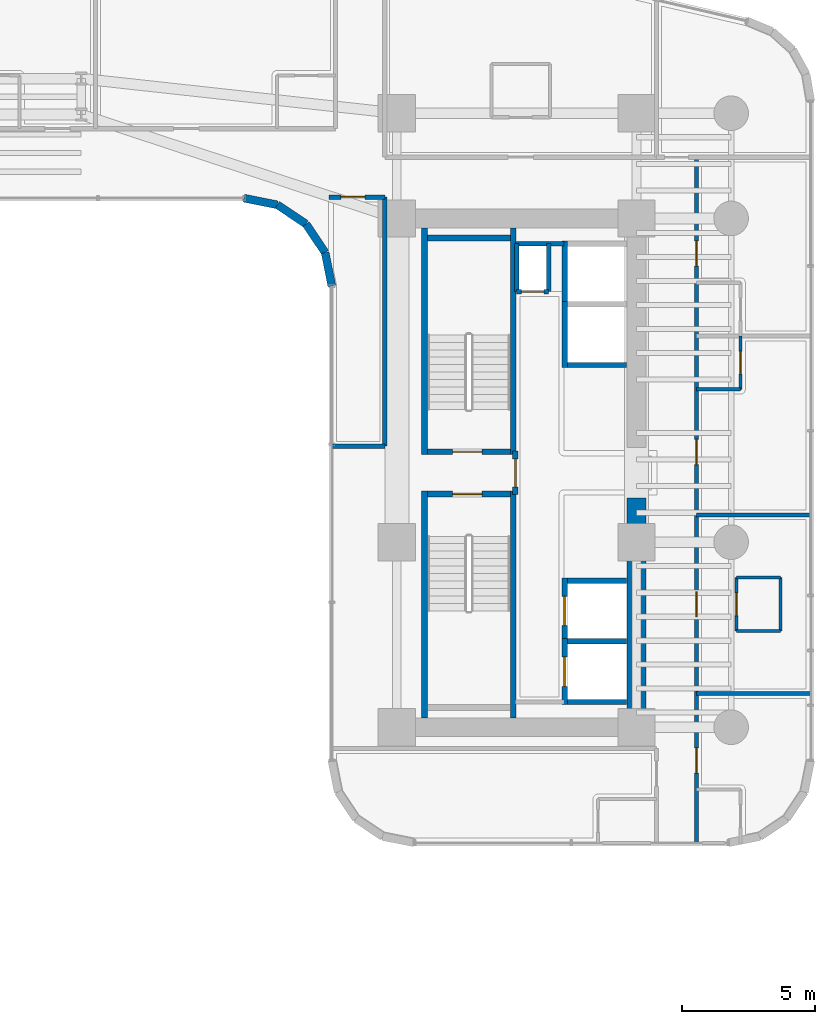
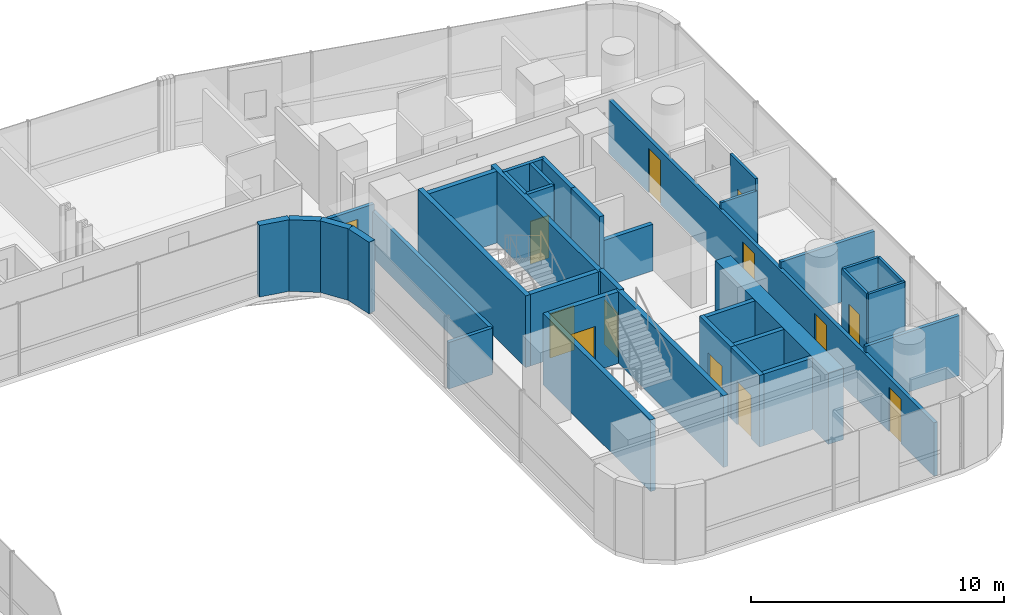
# One storey, part 33 of 42: 37 walls, 13 doors, 13 openings.
"""IFC4 building model written with IfcOpenShell, lengths in metres."""

from ifc_helpers import new_model, si_unit, direction, frame, frame_2d, origin, place, context, subcontext, project, spatial, rectangle, extrude, material, layer, layer_set, type_object, element, fill, save


model = new_model("IFC4")

# Units and contexts
model_context = context("Model", 3, precision=1e-05, world=origin(), true_north=direction((0.0, 1.0)))
body_context = subcontext(model_context, "Body", "Model", "MODEL_VIEW")
ifc_project = project(units=[si_unit("LENGTHUNIT", "METRE"), si_unit("AREAUNIT", "SQUARE_METRE"), si_unit("VOLUMEUNIT", "CUBIC_METRE"), si_unit("PLANEANGLEUNIT", "RADIAN"), si_unit("MASSUNIT", "GRAM", prefix="KILO")], contexts=[model_context])

# Site, building, storey
site_placement = place(None, origin())
site = spatial("IfcSite", under=ifc_project, at=site_placement, CompositionType="ELEMENT")
building_placement = place(site_placement, origin())
building = spatial("IfcBuilding", under=site, at=building_placement, Name="Valdorenza Pilgrim Sanctuary Tower", CompositionType="ELEMENT")
storey_placement = place(building_placement, frame((0.0, 0.0, 29.699951171875)))
storey = spatial("IfcBuildingStorey", under=building, at=storey_placement, Name="L06", CompositionType="ELEMENT", Elevation=29.699951171875)

# Wall, opening, door
ifc_material_1 = material(Name="Acoustic twin-stud gypsum partition", Category="gypsum")
ifc_layer_1 = layer(ifc_material_1, 0.159912109375, Name="Acoustic twin-stud gypsum partition")
ifc_layer_set_1 = layer_set([ifc_layer_1], Name="Acoustic twin-stud gypsum partition")
wall_type_1 = type_object("IfcWallType", Name="WAL-COR-160", PredefinedType="PARTITIONING", material=ifc_layer_set_1)
wall_1_placement = place(storey_placement, frame((20.35009765625, 6.800048828125, 0.0), z_axis=(0.0, 0.0, 1.0), x_axis=(1.0, 0.0, 0.0)))
wall_1 = element("IfcWall", 1, at=wall_1_placement, inside=storey, type_object=wall_type_1, Name="L06 Core B Riser South Wall", PredefinedType="PARTITIONING", context=body_context, shape_type="SweptSolid", body=[
    extrude(rectangle(XDim=1.199951171875, YDim=0.159912109375, at=frame_2d((0.60009765625, 0.0))), origin(), (0.0, 0.0, 1.0), 3.4599609375),
])
opening_1_placement = place(wall_1_placement, frame((0.175048828125, 0.0, 0.0)))
opening_1 = element("IfcOpeningElement", 2, at=opening_1_placement, cuts=wall_1, Name="Opening DR-RS1", PredefinedType="OPENING", context=body_context, shape_type="SweptSolid", body=[
    extrude(rectangle(XDim=0.85009765625, YDim=2.050048828125, at=frame_2d((0.425048828125, 1.02490234375))), frame((0.0, 0.0947265625, 0.0), z_axis=(0.0, -1.0, 0.0), x_axis=(1.0, 0.0, 0.0)), (0.0, 0.0, 1.0), 0.189697265625),
])
ifc_material_2 = material(Name="Painted galvanized steel", Category="steel")
door_type_1 = type_object("IfcDoorType", Name="DR-RSR-850", OperationType="NOTDEFINED", PredefinedType="DOOR", material=ifc_material_2)
door_1_placement = place(opening_1_placement, origin())
door_1 = element("IfcDoor", 3, at=door_1_placement, inside=storey, type_object=door_type_1, Name="L06 Core B Electrical Riser Door", OperationType="SINGLE_SWING_LEFT", OverallHeight=2.050048828125, OverallWidth=0.85009765625, PredefinedType="DOOR", context=body_context, shape_type="SweptSolid", body=[
    extrude(rectangle(XDim=0.85009765625, YDim=2.050048828125, at=frame_2d((0.425048828125, 1.02490234375))), frame((0.0, 0.02490234375, 0.0), z_axis=(0.0, -1.0, 0.0), x_axis=(1.0, 0.0, 0.0)), (0.0, 0.0, 1.0), 0.050048828125),
])
fill(opening_1, door_1)

# Walls
for number, where, z_axis, x_axis, name in (
    (4, (21.550048828125, 6.800048828125, 0.0), (0.0, 0.0, 1.0), (0.0, 1.0, 0.0), "L06 Core B Riser East Wall"),
    (5, (20.35009765625, 6.800048828125, 0.0), (0.0, 0.0, 1.0), (0.0, 1.0, 0.0), "L06 Core B Riser West Wall"),
):
    element("IfcWall", number, at=place(storey_placement, frame(where, z_axis=z_axis, x_axis=x_axis)), inside=storey, type_object=wall_type_1, Name=name, PredefinedType="PARTITIONING", context=body_context, shape_type="SweptSolid", body=[
        extrude(rectangle(XDim=1.800048828125, YDim=0.159912109375, at=frame_2d((0.89990234375, 0.0))), origin(), (0.0, 0.0, 1.0), 3.4599609375),
    ])
wall_2_placement = place(storey_placement, frame((20.300048828125, 8.60009765625, 0.0), z_axis=(0.0, 0.0, 1.0), x_axis=(1.0, 0.0, 0.0)))
element("IfcWall", 6, at=wall_2_placement, inside=storey, type_object=wall_type_1, Name="L06 Core B Lift Hall North End Wall", PredefinedType="PARTITIONING", context=body_context, shape_type="SweptSolid", body=[
    extrude(rectangle(XDim=1.820068359375, YDim=0.159912109375, at=frame_2d((0.91015625, 0.0))), origin(), (0.0, 0.0, 1.0), 3.4599609375),
])

# Wall, openings, doors
wall_3_placement = place(storey_placement, frame((27.10009765625, -13.889892578125, 0.0), z_axis=(0.0, 0.0, 1.0), x_axis=(0.0, 1.0, 0.0)))
wall_3 = element("IfcWall", 7, at=wall_3_placement, inside=storey, type_object=wall_type_1, Name="L06 Wing B East Corridor Wall", PredefinedType="PARTITIONING", context=body_context, shape_type="SweptSolid", body=[
    extrude(rectangle(XDim=25.739990234375, YDim=0.159912109375, at=frame_2d((12.8701171875, 0.0))), origin(), (0.0, 0.0, 1.0), 2.5830078125),
])
opening_2_placement = place(wall_3_placement, frame((2.6201171875, 0.0, 0.0)))
opening_2 = element("IfcOpeningElement", 8, at=opening_2_placement, cuts=wall_3, Name="Opening DR-UN1", PredefinedType="OPENING", context=body_context, shape_type="SweptSolid", body=[
    extrude(rectangle(XDim=0.949951171875, YDim=2.14990234375, at=frame_2d((0.47509765625, 1.074951171875))), frame((0.0, 0.0947265625, 0.0), z_axis=(0.0, -1.0, 0.0), x_axis=(1.0, 0.0, 0.0)), (0.0, 0.0, 1.0), 0.189697265625),
])
opening_3_placement = place(wall_3_placement, frame((8.48388671875, 0.0, 0.0)))
opening_3 = element("IfcOpeningElement", 9, at=opening_3_placement, cuts=wall_3, Name="Opening DR-UN1", PredefinedType="OPENING", context=body_context, shape_type="SweptSolid", body=[
    extrude(rectangle(XDim=0.949951171875, YDim=2.14990234375, at=frame_2d((0.47509765625, 1.074951171875))), frame((0.0, 0.0947265625, 0.0), z_axis=(0.0, -1.0, 0.0), x_axis=(1.0, 0.0, 0.0)), (0.0, 0.0, 1.0), 0.189697265625),
])
opening_4_placement = place(wall_3_placement, frame((14.197021484375, 0.0, 0.0)))
opening_4 = element("IfcOpeningElement", 10, at=opening_4_placement, cuts=wall_3, Name="Opening DR-UN1", PredefinedType="OPENING", context=body_context, shape_type="SweptSolid", body=[
    extrude(rectangle(XDim=0.949951171875, YDim=2.14990234375, at=frame_2d((0.47509765625, 1.074951171875))), frame((0.0, 0.0947265625, 0.0), z_axis=(0.0, -1.0, 0.0), x_axis=(1.0, 0.0, 0.0)), (0.0, 0.0, 1.0), 0.189697265625),
])
opening_5_placement = place(wall_3_placement, frame((21.64794921875, 0.0, 0.0)))
opening_5 = element("IfcOpeningElement", 11, at=opening_5_placement, cuts=wall_3, Name="Opening DR-UN1", PredefinedType="OPENING", context=body_context, shape_type="SweptSolid", body=[
    extrude(rectangle(XDim=0.949951171875, YDim=2.14990234375, at=frame_2d((0.47509765625, 1.074951171875))), frame((0.0, 0.0947265625, 0.0), z_axis=(0.0, -1.0, 0.0), x_axis=(1.0, 0.0, 0.0)), (0.0, 0.0, 1.0), 0.189697265625),
])
ifc_material_3 = material(Name="Solid-core European oak timber", Category="wood")
door_type_2 = type_object("IfcDoorType", Name="DR-UNIT-950", OperationType="NOTDEFINED", PredefinedType="DOOR", material=ifc_material_3)
door_2_placement = place(opening_2_placement, origin())
door_2 = element("IfcDoor", 12, at=door_2_placement, inside=storey, type_object=door_type_2, Name="L06 East Sanctuary Guest Room L06-EG1 Entrance Door", OperationType="SINGLE_SWING_RIGHT", OverallHeight=2.14990234375, OverallWidth=0.949951171875, PredefinedType="DOOR", context=body_context, shape_type="SweptSolid", body=[
    extrude(rectangle(XDim=0.949951171875, YDim=2.14990234375, at=frame_2d((0.47509765625, 1.074951171875))), frame((0.0, 0.02490234375, 0.0), z_axis=(0.0, -1.0, 0.0), x_axis=(1.0, 0.0, 0.0)), (0.0, 0.0, 1.0), 0.050048828125),
])
fill(opening_2, door_2)
door_3_placement = place(opening_3_placement, origin())
door_3 = element("IfcDoor", 13, at=door_3_placement, inside=storey, type_object=door_type_2, Name="L06 East Sanctuary Guest Room L06-EG2 Entrance Door", OperationType="SINGLE_SWING_RIGHT", OverallHeight=2.14990234375, OverallWidth=0.949951171875, PredefinedType="DOOR", context=body_context, shape_type="SweptSolid", body=[
    extrude(rectangle(XDim=0.949951171875, YDim=2.14990234375, at=frame_2d((0.47509765625, 1.074951171875))), frame((0.0, 0.02490234375, 0.0), z_axis=(0.0, -1.0, 0.0), x_axis=(1.0, 0.0, 0.0)), (0.0, 0.0, 1.0), 0.050048828125),
])
fill(opening_3, door_3)
door_4_placement = place(opening_4_placement, origin())
door_4 = element("IfcDoor", 14, at=door_4_placement, inside=storey, type_object=door_type_2, Name="L06 East Sanctuary Guest Room L06-EG3 Entrance Door", OperationType="SINGLE_SWING_RIGHT", OverallHeight=2.14990234375, OverallWidth=0.949951171875, PredefinedType="DOOR", context=body_context, shape_type="SweptSolid", body=[
    extrude(rectangle(XDim=0.949951171875, YDim=2.14990234375, at=frame_2d((0.47509765625, 1.074951171875))), frame((0.0, 0.02490234375, 0.0), z_axis=(0.0, -1.0, 0.0), x_axis=(1.0, 0.0, 0.0)), (0.0, 0.0, 1.0), 0.050048828125),
])
fill(opening_4, door_4)
door_5_placement = place(opening_5_placement, origin())
door_5 = element("IfcDoor", 15, at=door_5_placement, inside=storey, type_object=door_type_2, Name="L06 East Sanctuary Guest Room L06-EG4 Entrance Door", OperationType="SINGLE_SWING_RIGHT", OverallHeight=2.14990234375, OverallWidth=0.949951171875, PredefinedType="DOOR", context=body_context, shape_type="SweptSolid", body=[
    extrude(rectangle(XDim=0.949951171875, YDim=2.14990234375, at=frame_2d((0.47509765625, 1.074951171875))), frame((0.0, 0.02490234375, 0.0), z_axis=(0.0, -1.0, 0.0), x_axis=(1.0, 0.0, 0.0)), (0.0, 0.0, 1.0), 0.050048828125),
])
fill(opening_5, door_5)

# Wall, opening, door
wall_4_placement = place(storey_placement, frame((13.300048828125, 10.35009765625, 0.0), z_axis=(0.0, 0.0, 1.0), x_axis=(1.0, 0.0, 0.0)))
wall_4 = element("IfcWall", 16, at=wall_4_placement, inside=storey, type_object=wall_type_1, Name="L06 Courtyard Overlook North Wall", PredefinedType="PARTITIONING", context=body_context, shape_type="SweptSolid", body=[
    extrude(rectangle(XDim=2.099853515625, YDim=0.159912109375, at=frame_2d((1.0498046875, 0.0))), origin(), (0.0, 0.0, 1.0), 2.5830078125),
])
opening_6_placement = place(wall_4_placement, frame((0.449951171875, 0.0, 0.0)))
opening_6 = element("IfcOpeningElement", 17, at=opening_6_placement, cuts=wall_4, Name="Opening DR-RM1", PredefinedType="OPENING", context=body_context, shape_type="SweptSolid", body=[
    extrude(rectangle(XDim=0.89990234375, YDim=2.10009765625, at=frame_2d((0.449951171875, 1.050048828125))), frame((0.0, 0.0947265625, 0.0), z_axis=(0.0, -1.0, 0.0), x_axis=(1.0, 0.0, 0.0)), (0.0, 0.0, 1.0), 0.189697265625),
])
door_type_3 = type_object("IfcDoorType", Name="DR-ROOM-900", OperationType="NOTDEFINED", PredefinedType="DOOR", material=ifc_material_3)
door_6_placement = place(opening_6_placement, origin())
door_6 = element("IfcDoor", 18, at=door_6_placement, inside=storey, type_object=door_type_3, Name="L06 Courtyard Overlook Salon Door", OperationType="SINGLE_SWING_RIGHT", OverallHeight=2.10009765625, OverallWidth=0.89990234375, PredefinedType="DOOR", context=body_context, shape_type="SweptSolid", body=[
    extrude(rectangle(XDim=0.89990234375, YDim=2.10009765625, at=frame_2d((0.449951171875, 1.050048828125))), frame((0.0, 0.02490234375, 0.0), z_axis=(0.0, -1.0, 0.0), x_axis=(1.0, 0.0, 0.0)), (0.0, 0.0, 1.0), 0.050048828125),
])
fill(opening_6, door_6)

# Walls
wall_5_placement = place(storey_placement, frame((15.39990234375, 1.0, 0.0), z_axis=(0.0, 0.0, 1.0), x_axis=(0.0, 1.0, 0.0)))
element("IfcWall", 19, at=wall_5_placement, inside=storey, type_object=wall_type_1, Name="L06 Courtyard Overlook East Wall", PredefinedType="PARTITIONING", context=body_context, shape_type="SweptSolid", body=[
    extrude(rectangle(XDim=9.35009765625, YDim=0.159912109375, at=frame_2d((4.675048828125, 0.0))), origin(), (0.0, 0.0, 1.0), 2.2451171875),
])
wall_6_placement = place(storey_placement, frame((13.409912109375, 1.0, 0.0), z_axis=(0.0, 0.0, 1.0), x_axis=(1.0, 0.0, 0.0)))
element("IfcWall", 20, at=wall_6_placement, inside=storey, type_object=wall_type_1, Name="L06 Courtyard Overlook South Wall", PredefinedType="PARTITIONING", context=body_context, shape_type="SweptSolid", body=[
    extrude(rectangle(XDim=1.989990234375, YDim=0.159912109375, at=frame_2d((0.9951171875, 0.0))), origin(), (0.0, 0.0, 1.0), 2.2451171875),
])
ifc_material_4 = material(Name="Concrete C60/75", Category="concrete")
ifc_layer_2 = layer(ifc_material_4, 0.699951171875, Name="Concrete C60/75")
ifc_layer_set_2 = layer_set([ifc_layer_2], Name="Concrete C60/75")
wall_type_2 = type_object("IfcWallType", Name="WAL-COR-700", PredefinedType="SHEAR", material=ifc_layer_set_2)
wall_7_placement = place(storey_placement, frame((24.85009765625, -9.89990234375, 0.0), z_axis=(0.0, 0.0, 1.0), x_axis=(0.0, 1.0, 0.0)))
element("IfcWall", 21, at=wall_7_placement, inside=storey, type_object=wall_type_2, Name="L06 Split Core B Shear Wall ES", PredefinedType="SHEAR", context=body_context, shape_type="SweptSolid", body=[
    extrude(rectangle(XDim=8.949951171875, YDim=0.699951171875, at=frame_2d((4.47509765625, 0.0))), origin(), (0.0, 0.0, 1.0), 3.4599609375),
])
ifc_material_5 = material(Name="Honed travertine limestone", Category="masonry")
ifc_layer_3 = layer(ifc_material_5, 0.300048828125, Name="Honed travertine limestone")
ifc_layer_set_3 = layer_set([ifc_layer_3], Name="Honed travertine limestone")
wall_type_3 = type_object("IfcWallType", Name="WAL-EXT-300", PredefinedType="SOLIDWALL", material=ifc_layer_set_3)
wall_8_placement = place(storey_placement, frame((13.409912109375, 7.0107421875, 0.0), z_axis=(0.0, 0.0, 1.0), x_axis=(-0.195090163074, 0.980785312019, 0.0)))
element("IfcWall", 22, at=wall_8_placement, inside=storey, type_object=wall_type_3, Name="L06 Rounded Wind-Corner Stone Pier 32", PredefinedType="SOLIDWALL", context=body_context, shape_type="SweptSolid", body=[
    extrude(rectangle(XDim=1.281494140625, YDim=0.300048828125, at=frame_2d((0.640625, 0.0))), origin(), (0.0, 0.0, 1.0), 3.4599609375),
])
for number, where, z_axis, x_axis, name in (
    (23, (13.159912109375, 8.267578125, 0.0), (0.0, 0.0, 1.0), (-0.555615398575, 0.831439431869, 0.0), "L06 Rounded Wind-Corner Stone Pier 33"),
    (24, (12.44189453125, 9.342041015625, 0.0), (0.0, 0.0, 1.0), (-0.831439431869, 0.555615398575, 0.0), "L06 Rounded Wind-Corner Stone Pier 34"),
):
    element("IfcWall", number, at=place(storey_placement, frame(where, z_axis=z_axis, x_axis=x_axis)), inside=storey, type_object=wall_type_3, Name=name, PredefinedType="SOLIDWALL", context=body_context, shape_type="SweptSolid", body=[
        extrude(rectangle(XDim=1.292236328125, YDim=0.300048828125, at=frame_2d((0.64599609375, 0.0))), origin(), (0.0, 0.0, 1.0), 3.4599609375),
    ])
wall_9_placement = place(storey_placement, frame((11.367431640625, 10.06005859375, 0.0), z_axis=(0.0, 0.0, 1.0), x_axis=(-0.980778058848, 0.195126623715, 0.0)))
element("IfcWall", 25, at=wall_9_placement, inside=storey, type_object=wall_type_3, Name="L06 Rounded Wind-Corner Stone Pier 35", PredefinedType="SOLIDWALL", context=body_context, shape_type="SweptSolid", body=[
    extrude(rectangle(XDim=1.28125, YDim=0.300048828125, at=frame_2d((0.640625, 0.0))), origin(), (0.0, 0.0, 1.0), 3.4599609375),
])

# Wall, opening, door
ifc_material_6 = material(Name="Gypsum shaftwall partition", Category="gypsum")
ifc_layer_4 = layer(ifc_material_6, 0.199951171875, Name="Gypsum shaftwall partition")
ifc_layer_set_4 = layer_set([ifc_layer_4], Name="Gypsum shaftwall partition")
wall_type_4 = type_object("IfcWallType", Name="WAL-FFL-200", PredefinedType="PARTITIONING", material=ifc_layer_set_4)
wall_10_placement = place(storey_placement, frame((20.300048828125, -0.820068359375, 0.0), z_axis=(0.0, 0.0, 1.0), x_axis=(0.0, 1.0, 0.0)))
wall_10 = element("IfcWall", 26, at=wall_10_placement, inside=storey, type_object=wall_type_4, Name="L06 Core B Firefighting Lobby East Wall", PredefinedType="PARTITIONING", context=body_context, shape_type="SweptSolid", body=[
    extrude(rectangle(XDim=1.64013671875, YDim=0.199951171875, at=frame_2d((0.820068359375, 0.0))), origin(), (0.0, 0.0, 1.0), 3.4599609375),
])
opening_7_placement = place(wall_10_placement, frame((0.294921875, 0.0, 0.0)))
opening_7 = element("IfcOpeningElement", 27, at=opening_7_placement, cuts=wall_10, Name="Opening DR-FL1", PredefinedType="OPENING", context=body_context, shape_type="SweptSolid", body=[
    extrude(rectangle(XDim=1.050048828125, YDim=2.14990234375, at=frame_2d((0.52490234375, 1.074951171875))), frame((0.0, 0.11474609375, 0.0), z_axis=(0.0, -1.0, 0.0), x_axis=(1.0, 0.0, 0.0)), (0.0, 0.0, 1.0), 0.229736328125),
])
door_type_4 = type_object("IfcDoorType", Name="DR-FFL-1050", OperationType="NOTDEFINED", PredefinedType="DOOR", material=ifc_material_2)
door_7_placement = place(opening_7_placement, origin())
door_7 = element("IfcDoor", 28, at=door_7_placement, inside=storey, type_object=door_type_4, Name="L06 Core B Firefighting Lobby Door", OperationType="SINGLE_SWING_RIGHT", OverallHeight=2.14990234375, OverallWidth=1.050048828125, PredefinedType="DOOR", context=body_context, shape_type="SweptSolid", body=[
    extrude(rectangle(XDim=1.050048828125, YDim=2.14990234375, at=frame_2d((0.52490234375, 1.074951171875))), frame((0.0, 0.02490234375, 0.0), z_axis=(0.0, -1.0, 0.0), x_axis=(1.0, 0.0, 0.0)), (0.0, 0.0, 1.0), 0.050048828125),
])
fill(opening_7, door_7)

# Walls
ifc_material_7 = material(Name="Moisture-resistant gypsum partition", Category="gypsum")
ifc_layer_5 = layer(ifc_material_7, 0.1201171875, Name="Moisture-resistant gypsum partition")
ifc_layer_set_5 = layer_set([ifc_layer_5], Name="Moisture-resistant gypsum partition")
wall_type_5 = type_object("IfcWallType", Name="WAL-INT-120", PredefinedType="PARTITIONING", material=ifc_layer_set_5)
for number, where, z_axis, x_axis, name in (
    (29, (28.60009765625, -5.930908203125, 0.0), (0.0, 0.0, 1.0), (1.0, 0.0, 0.0), "L06 East Sanctuary Guest Room L06-EG2 En-suite South Wall"),
    (30, (28.60009765625, -3.930908203125, 0.0), (0.0, 0.0, 1.0), (1.0, 0.0, 0.0), "L06 East Sanctuary Guest Room L06-EG2 En-suite North Wall"),
):
    element("IfcWall", number, at=place(storey_placement, frame(where, z_axis=z_axis, x_axis=x_axis)), inside=storey, type_object=wall_type_5, Name=name, PredefinedType="PARTITIONING", context=body_context, shape_type="SweptSolid", body=[
        extrude(rectangle(XDim=1.64990234375, YDim=0.1201171875, at=frame_2d((0.824951171875, 0.0))), origin(), (0.0, 0.0, 1.0), 3.4599609375),
    ])
wall_11_placement = place(storey_placement, frame((30.25, -5.930908203125, 0.0), z_axis=(0.0, 0.0, 1.0), x_axis=(0.0, 1.0, 0.0)))
element("IfcWall", 31, at=wall_11_placement, inside=storey, type_object=wall_type_5, Name="L06 East Sanctuary Guest Room L06-EG2 En-suite Back Wall", PredefinedType="PARTITIONING", context=body_context, shape_type="SweptSolid", body=[
    extrude(rectangle(XDim=2.0, YDim=0.1201171875, at=frame_2d((1.0, 0.0))), origin(), (0.0, 0.0, 1.0), 3.4599609375),
])

# Wall, opening, door
wall_12_placement = place(storey_placement, frame((28.60009765625, -5.930908203125, 0.0), z_axis=(0.0, 0.0, 1.0), x_axis=(0.0, 1.0, 0.0)))
wall_12 = element("IfcWall", 32, at=wall_12_placement, inside=storey, type_object=wall_type_5, Name="L06 East Sanctuary Guest Room L06-EG2 En-suite Door Wall", PredefinedType="PARTITIONING", context=body_context, shape_type="SweptSolid", body=[
    extrude(rectangle(XDim=2.0, YDim=0.1201171875, at=frame_2d((1.0, 0.0))), origin(), (0.0, 0.0, 1.0), 3.4599609375),
])
opening_8_placement = place(wall_12_placement, frame((0.574951171875, 0.0, 0.0)))
opening_8 = element("IfcOpeningElement", 33, at=opening_8_placement, cuts=wall_12, Name="Opening DR-WC1", PredefinedType="OPENING", context=body_context, shape_type="SweptSolid", body=[
    extrude(rectangle(XDim=0.85009765625, YDim=2.10009765625, at=frame_2d((0.425048828125, 1.050048828125))), frame((0.0, 0.074951171875, 0.0), z_axis=(0.0, -1.0, 0.0), x_axis=(1.0, 0.0, 0.0)), (0.0, 0.0, 1.0), 0.14990234375),
])
ifc_material_8 = material(Name="Moisture-resistant lacquered timber", Category="wood")
door_type_5 = type_object("IfcDoorType", Name="DR-BATH-850", OperationType="NOTDEFINED", PredefinedType="DOOR", material=ifc_material_8)
door_8_placement = place(opening_8_placement, origin())
door_8 = element("IfcDoor", 34, at=door_8_placement, inside=storey, type_object=door_type_5, Name="L06 East Sanctuary Guest Room L06-EG2 En-suite Bathroom Door", OperationType="SINGLE_SWING_LEFT", OverallHeight=2.10009765625, OverallWidth=0.85009765625, PredefinedType="DOOR", context=body_context, shape_type="SweptSolid", body=[
    extrude(rectangle(XDim=0.85009765625, YDim=2.10009765625, at=frame_2d((0.425048828125, 1.050048828125))), frame((0.0, 0.02490234375, 0.0), z_axis=(0.0, -1.0, 0.0), x_axis=(1.0, 0.0, 0.0)), (0.0, 0.0, 1.0), 0.050048828125),
])
fill(opening_8, door_8)

# Wall
wall_13_placement = place(storey_placement, frame((27.10009765625, 3.137939453125, 0.0), z_axis=(0.0, 0.0, 1.0), x_axis=(1.0, 0.0, 0.0)))
element("IfcWall", 35, at=wall_13_placement, inside=storey, type_object=wall_type_5, Name="L06 East Sanctuary Guest Room L06-EG3 En-suite South Wall", PredefinedType="PARTITIONING", context=body_context, shape_type="SweptSolid", body=[
    extrude(rectangle(XDim=1.64990234375, YDim=0.1201171875, at=frame_2d((0.824951171875, 0.0))), origin(), (0.0, 0.0, 1.0), 2.89599609375),
])

# Wall, opening, door
wall_14_placement = place(storey_placement, frame((28.75, 3.137939453125, 0.0), z_axis=(0.0, 0.0, 1.0), x_axis=(0.0, 1.0, 0.0)))
wall_14 = element("IfcWall", 36, at=wall_14_placement, inside=storey, type_object=wall_type_5, Name="L06 East Sanctuary Guest Room L06-EG3 En-suite Door Wall", PredefinedType="PARTITIONING", context=body_context, shape_type="SweptSolid", body=[
    extrude(rectangle(XDim=2.0, YDim=0.1201171875, at=frame_2d((1.0, 0.0))), origin(), (0.0, 0.0, 1.0), 3.4599609375),
])
opening_9_placement = place(wall_14_placement, frame((0.574951171875, 0.0, 0.0)))
opening_9 = element("IfcOpeningElement", 37, at=opening_9_placement, cuts=wall_14, Name="Opening DR-WC1", PredefinedType="OPENING", context=body_context, shape_type="SweptSolid", body=[
    extrude(rectangle(XDim=0.85009765625, YDim=2.10009765625, at=frame_2d((0.425048828125, 1.050048828125))), frame((0.0, 0.074951171875, 0.0), z_axis=(0.0, -1.0, 0.0), x_axis=(1.0, 0.0, 0.0)), (0.0, 0.0, 1.0), 0.14990234375),
])
door_9_placement = place(opening_9_placement, origin())
door_9 = element("IfcDoor", 38, at=door_9_placement, inside=storey, type_object=door_type_5, Name="L06 East Sanctuary Guest Room L06-EG3 En-suite Bathroom Door", OperationType="SINGLE_SWING_LEFT", OverallHeight=2.10009765625, OverallWidth=0.85009765625, PredefinedType="DOOR", context=body_context, shape_type="SweptSolid", body=[
    extrude(rectangle(XDim=0.85009765625, YDim=2.10009765625, at=frame_2d((0.425048828125, 1.050048828125))), frame((0.0, 0.02490234375, 0.0), z_axis=(0.0, -1.0, 0.0), x_axis=(1.0, 0.0, 0.0)), (0.0, 0.0, 1.0), 0.050048828125),
])
fill(opening_9, door_9)

ifc_material_9 = material(Name="Autoclaved aerated concrete blockwork", Category="masonry")
ifc_layer_6 = layer(ifc_material_9, 0.199951171875, Name="Autoclaved aerated concrete blockwork")
ifc_layer_set_6 = layer_set([ifc_layer_6], Name="Autoclaved aerated concrete blockwork")
wall_type_6 = type_object("IfcWallType", Name="WAL-SHF-200", PredefinedType="MOVABLE", material=ifc_layer_set_6)
wall_15_placement = place(storey_placement, frame((22.14990234375, -8.699951171875, 0.0), z_axis=(0.0, 0.0, 1.0), x_axis=(0.0, 1.0, 0.0)))
wall_15 = element("IfcWall", 39, at=wall_15_placement, inside=storey, type_object=wall_type_6, Name="L06 Lift PL-03 Hoistway Wall West", PredefinedType="MOVABLE", context=body_context, shape_type="SweptSolid", body=[
    extrude(rectangle(XDim=2.474853515625, YDim=0.199951171875, at=frame_2d((1.2373046875, 0.0))), origin(), (0.0, 0.0, 1.0), 3.4599609375),
])
opening_10_placement = place(wall_15_placement, frame((0.6875, 0.0, 0.0)))
opening_10 = element("IfcOpeningElement", 40, at=opening_10_placement, cuts=wall_15, Name="Opening LD-01", PredefinedType="OPENING", context=body_context, shape_type="SweptSolid", body=[
    extrude(rectangle(XDim=1.10009765625, YDim=2.10009765625, at=frame_2d((0.550048828125, 1.050048828125))), frame((0.0, 0.11474609375, 0.0), z_axis=(0.0, -1.0, 0.0), x_axis=(1.0, 0.0, 0.0)), (0.0, 0.0, 1.0), 0.229736328125),
])
ifc_material_10 = material(Name="Brushed stainless steel Grade 316", Category="steel")
door_type_6 = type_object("IfcDoorType", Name="DR-LFT-1100", OperationType="DOUBLE_DOOR_SLIDING", PredefinedType="DOOR", material=ifc_material_10)
door_10_placement = place(opening_10_placement, origin())
door_10 = element("IfcDoor", 41, at=door_10_placement, inside=storey, type_object=door_type_6, Name="L06 Lift PL-03 Sliding Landing Door", OperationType="DOUBLE_DOOR_SLIDING", OverallHeight=2.10009765625, OverallWidth=1.10009765625, PredefinedType="DOOR", context=body_context, shape_type="SweptSolid", body=[
    extrude(rectangle(XDim=1.10009765625, YDim=2.10009765625, at=frame_2d((0.550048828125, 1.050048828125))), frame((0.0, 0.02490234375, 0.0), z_axis=(0.0, -1.0, 0.0), x_axis=(1.0, 0.0, 0.0)), (0.0, 0.0, 1.0), 0.050048828125),
])
fill(opening_10, door_10)

# Walls
for number, where, z_axis, x_axis, name in (
    (42, (22.25, -8.60009765625, 0.0), (0.0, 0.0, 1.0), (1.0, 0.0, 0.0), "L06 Lift PL-03 Hoistway Wall South"),
    (43, (22.25, -6.324951171875, 0.0), (0.0, 0.0, 1.0), (1.0, 0.0, 0.0), "L06 Lift PL-03 Hoistway Wall North"),
):
    element("IfcWall", number, at=place(storey_placement, frame(where, z_axis=z_axis, x_axis=x_axis)), inside=storey, type_object=wall_type_6, Name=name, PredefinedType="MOVABLE", context=body_context, shape_type="SweptSolid", body=[
        extrude(rectangle(XDim=2.22998046875, YDim=0.199951171875, at=frame_2d((1.114990234375, 0.0))), origin(), (0.0, 0.0, 1.0), 3.4599609375),
    ])

# Wall, opening, door
wall_16_placement = place(storey_placement, frame((22.14990234375, -6.425048828125, 0.0), z_axis=(0.0, 0.0, 1.0), x_axis=(0.0, 1.0, 0.0)))
wall_16 = element("IfcWall", 44, at=wall_16_placement, inside=storey, type_object=wall_type_6, Name="L06 Lift PL-04 Hoistway Wall West", PredefinedType="MOVABLE", context=body_context, shape_type="SweptSolid", body=[
    extrude(rectangle(XDim=2.47509765625, YDim=0.199951171875, at=frame_2d((1.237548828125, 0.0))), origin(), (0.0, 0.0, 1.0), 3.4599609375),
])
opening_11_placement = place(wall_16_placement, frame((0.6875, 0.0, 0.0)))
opening_11 = element("IfcOpeningElement", 45, at=opening_11_placement, cuts=wall_16, Name="Opening LD-01", PredefinedType="OPENING", context=body_context, shape_type="SweptSolid", body=[
    extrude(rectangle(XDim=1.10009765625, YDim=2.10009765625, at=frame_2d((0.550048828125, 1.050048828125))), frame((0.0, 0.11474609375, 0.0), z_axis=(0.0, -1.0, 0.0), x_axis=(1.0, 0.0, 0.0)), (0.0, 0.0, 1.0), 0.229736328125),
])
door_11_placement = place(opening_11_placement, origin())
door_11 = element("IfcDoor", 46, at=door_11_placement, inside=storey, type_object=door_type_6, Name="L06 Lift PL-04 Sliding Landing Door", OperationType="DOUBLE_DOOR_SLIDING", OverallHeight=2.10009765625, OverallWidth=1.10009765625, PredefinedType="DOOR", context=body_context, shape_type="SweptSolid", body=[
    extrude(rectangle(XDim=1.10009765625, YDim=2.10009765625, at=frame_2d((0.550048828125, 1.050048828125))), frame((0.0, 0.02490234375, 0.0), z_axis=(0.0, -1.0, 0.0), x_axis=(1.0, 0.0, 0.0)), (0.0, 0.0, 1.0), 0.050048828125),
])
fill(opening_11, door_11)

# Walls
wall_17_placement = place(storey_placement, frame((22.25, -4.050048828125, 0.0), z_axis=(0.0, 0.0, 1.0), x_axis=(1.0, 0.0, 0.0)))
element("IfcWall", 47, at=wall_17_placement, inside=storey, type_object=wall_type_6, Name="L06 Lift PL-04 Hoistway Wall North", PredefinedType="MOVABLE", context=body_context, shape_type="SweptSolid", body=[
    extrude(rectangle(XDim=2.22998046875, YDim=0.199951171875, at=frame_2d((1.114990234375, 0.0))), origin(), (0.0, 0.0, 1.0), 3.4599609375),
])
wall_18_placement = place(storey_placement, frame((22.14990234375, 3.949951171875, 0.0), z_axis=(0.0, 0.0, 1.0), x_axis=(0.0, 1.0, 0.0)))
element("IfcWall", 48, at=wall_18_placement, inside=storey, type_object=wall_type_6, Name="L06 Lift PL-07 Hoistway Wall West", PredefinedType="MOVABLE", context=body_context, shape_type="SweptSolid", body=[
    extrude(rectangle(XDim=2.47509765625, YDim=0.199951171875, at=frame_2d((1.237548828125, 0.0))), origin(), (0.0, 0.0, 1.0), 3.4599609375),
])
wall_19_placement = place(storey_placement, frame((22.25, 4.050048828125, 0.0), z_axis=(0.0, 0.0, 1.0), x_axis=(1.0, 0.0, 0.0)))
element("IfcWall", 49, at=wall_19_placement, inside=storey, type_object=wall_type_6, Name="L06 Lift PL-07 Hoistway Wall South", PredefinedType="MOVABLE", context=body_context, shape_type="SweptSolid", body=[
    extrude(rectangle(XDim=2.22998046875, YDim=0.199951171875, at=frame_2d((1.114990234375, 0.0))), origin(), (0.0, 0.0, 1.0), 2.2451171875),
])
wall_20_placement = place(storey_placement, frame((22.14990234375, 6.22509765625, 0.0), z_axis=(0.0, 0.0, 1.0), x_axis=(0.0, 1.0, 0.0)))
element("IfcWall", 50, at=wall_20_placement, inside=storey, type_object=wall_type_6, Name="L06 Lift PL-08 Hoistway Wall West", PredefinedType="MOVABLE", context=body_context, shape_type="SweptSolid", body=[
    extrude(rectangle(XDim=2.474853515625, YDim=0.199951171875, at=frame_2d((1.2373046875, 0.0))), origin(), (0.0, 0.0, 1.0), 3.4599609375),
])
ifc_material_11 = material(Name="Concrete C40/50", Category="concrete")
ifc_layer_7 = layer(ifc_material_11, 0.219970703125, Name="Concrete C40/50")
ifc_layer_set_7 = layer_set([ifc_layer_7], Name="Concrete C40/50")
wall_type_7 = type_object("IfcWallType", Name="WAL-STR-SHF-220", PredefinedType="SHEAR", material=ifc_layer_set_7)
for number, where, z_axis, x_axis, name in (
    (51, (16.889892578125, 0.679931640625, 0.0), (0.0, 0.0, 1.0), (0.0, 1.0, 0.0), "L06 ST-B1 Structural Stairwell Wall W"),
    (52, (20.219970703125, 0.679931640625, 0.0), (0.0, 0.0, 1.0), (0.0, 1.0, 0.0), "L06 ST-B1 Structural Stairwell Wall E"),
):
    element("IfcWall", number, at=place(storey_placement, frame(where, z_axis=z_axis, x_axis=x_axis)), inside=storey, type_object=wall_type_7, Name=name, PredefinedType="SHEAR", context=body_context, shape_type="SweptSolid", body=[
        extrude(rectangle(XDim=8.52001953125, YDim=0.219970703125, at=frame_2d((4.260009765625, 0.0))), origin(), (0.0, 0.0, 1.0), 3.4599609375),
    ])

# Wall, opening, door
wall_21_placement = place(storey_placement, frame((17.0, 0.7900390625, 0.0), z_axis=(0.0, 0.0, 1.0), x_axis=(1.0, 0.0, 0.0)))
wall_21 = element("IfcWall", 53, at=wall_21_placement, inside=storey, type_object=wall_type_7, Name="L06 ST-B1 Structural Stairwell Wall S", PredefinedType="SHEAR", context=body_context, shape_type="SweptSolid", body=[
    extrude(rectangle(XDim=3.110107421875, YDim=0.219970703125, at=frame_2d((1.55517578125, 0.0))), origin(), (0.0, 0.0, 1.0), 3.4599609375),
])
opening_12_placement = place(wall_21_placement, frame((0.949951171875, 0.0, 0.0)))
opening_12 = element("IfcOpeningElement", 54, at=opening_12_placement, cuts=wall_21, Name="Opening DR-ST1", PredefinedType="OPENING", context=body_context, shape_type="SweptSolid", body=[
    extrude(rectangle(XDim=1.10009765625, YDim=2.14990234375, at=frame_2d((0.550048828125, 1.074951171875))), frame((0.0, 0.125, 0.0), z_axis=(0.0, -1.0, 0.0), x_axis=(1.0, 0.0, 0.0)), (0.0, 0.0, 1.0), 0.249755859375),
])
door_type_7 = type_object("IfcDoorType", Name="DR-STAIR-1100", OperationType="NOTDEFINED", PredefinedType="DOOR", material=ifc_material_2)
door_12_placement = place(opening_12_placement, frame((1.10009765625, 0.0, 0.0), z_axis=(0.0, 0.0, 1.0), x_axis=(-1.0, 0.0, 0.0)))
door_12 = element("IfcDoor", 55, at=door_12_placement, inside=storey, type_object=door_type_7, Name="L06 Exit Stair ST-B1 Door", OperationType="SINGLE_SWING_LEFT", OverallHeight=2.14990234375, OverallWidth=1.10009765625, PredefinedType="DOOR", context=body_context, shape_type="SweptSolid", body=[
    extrude(rectangle(XDim=1.10009765625, YDim=2.14990234375, at=frame_2d((0.550048828125, 1.074951171875))), frame((0.0, 0.02490234375, 0.0), z_axis=(0.0, -1.0, 0.0), x_axis=(1.0, 0.0, 0.0)), (0.0, 0.0, 1.0), 0.050048828125),
])
fill(opening_12, door_12)

# Walls
wall_22_placement = place(storey_placement, frame((17.0, 8.81005859375, 0.0), z_axis=(0.0, 0.0, 1.0), x_axis=(1.0, 0.0, 0.0)))
element("IfcWall", 56, at=wall_22_placement, inside=storey, type_object=wall_type_7, Name="L06 ST-B1 Structural Stairwell Wall N", PredefinedType="SHEAR", context=body_context, shape_type="SweptSolid", body=[
    extrude(rectangle(XDim=3.110107421875, YDim=0.219970703125, at=frame_2d((1.55517578125, 0.0))), origin(), (0.0, 0.0, 1.0), 3.4599609375),
])
for number, where, z_axis, x_axis, name in (
    (57, (16.889892578125, -9.199951171875, 0.0), (0.0, 0.0, 1.0), (0.0, 1.0, 0.0), "L06 ST-B2 Structural Stairwell Wall W"),
    (58, (20.219970703125, -9.199951171875, 0.0), (0.0, 0.0, 1.0), (0.0, 1.0, 0.0), "L06 ST-B2 Structural Stairwell Wall E"),
):
    element("IfcWall", number, at=place(storey_placement, frame(where, z_axis=z_axis, x_axis=x_axis)), inside=storey, type_object=wall_type_7, Name=name, PredefinedType="SHEAR", context=body_context, shape_type="SweptSolid", body=[
        extrude(rectangle(XDim=8.52001953125, YDim=0.219970703125, at=frame_2d((4.260009765625, 0.0))), origin(), (0.0, 0.0, 1.0), 3.4599609375),
    ])

# Wall, opening, door
wall_23_placement = place(storey_placement, frame((17.0, -0.7900390625, 0.0), z_axis=(0.0, 0.0, 1.0), x_axis=(1.0, 0.0, 0.0)))
wall_23 = element("IfcWall", 59, at=wall_23_placement, inside=storey, type_object=wall_type_7, Name="L06 ST-B2 Structural Stairwell Wall N", PredefinedType="SHEAR", context=body_context, shape_type="SweptSolid", body=[
    extrude(rectangle(XDim=3.110107421875, YDim=0.219970703125, at=frame_2d((1.55517578125, 0.0))), origin(), (0.0, 0.0, 1.0), 3.4599609375),
])
opening_13_placement = place(wall_23_placement, frame((0.949951171875, 0.0, 0.0)))
opening_13 = element("IfcOpeningElement", 60, at=opening_13_placement, cuts=wall_23, Name="Opening DR-ST1", PredefinedType="OPENING", context=body_context, shape_type="SweptSolid", body=[
    extrude(rectangle(XDim=1.10009765625, YDim=2.14990234375, at=frame_2d((0.550048828125, 1.074951171875))), frame((0.0, 0.125, 0.0), z_axis=(0.0, -1.0, 0.0), x_axis=(1.0, 0.0, 0.0)), (0.0, 0.0, 1.0), 0.249755859375),
])
door_13_placement = place(opening_13_placement, origin())
door_13 = element("IfcDoor", 61, at=door_13_placement, inside=storey, type_object=door_type_7, Name="L06 Exit Stair ST-B2 Door", OperationType="SINGLE_SWING_RIGHT", OverallHeight=2.14990234375, OverallWidth=1.10009765625, PredefinedType="DOOR", context=body_context, shape_type="SweptSolid", body=[
    extrude(rectangle(XDim=1.10009765625, YDim=2.14990234375, at=frame_2d((0.550048828125, 1.074951171875))), frame((0.0, 0.02490234375, 0.0), z_axis=(0.0, -1.0, 0.0), x_axis=(1.0, 0.0, 0.0)), (0.0, 0.0, 1.0), 0.050048828125),
])
fill(opening_13, door_13)

# Walls
ifc_layer_8 = layer(ifc_material_1, 0.14990234375, Name="Acoustic twin-stud gypsum partition")
ifc_layer_set_8 = layer_set([ifc_layer_8], Name="Acoustic twin-stud gypsum partition")
wall_type_8 = type_object("IfcWallType", Name="WAL-UNT-150", PredefinedType="PARTITIONING", material=ifc_layer_set_8)
for number, where, z_axis, x_axis, name in (
    (62, (27.10009765625, -8.287109375, 0.0), (0.0, 0.0, 1.0), (1.0, 0.0, 0.0), "L06 East Wing Guest Demising 1"),
    (63, (27.10009765625, -1.574951171875, 0.0), (0.0, 0.0, 1.0), (1.0, 0.0, 0.0), "L06 East Wing Guest Demising 2"),
):
    element("IfcWall", number, at=place(storey_placement, frame(where, z_axis=z_axis, x_axis=x_axis)), inside=storey, type_object=wall_type_8, Name=name, PredefinedType="PARTITIONING", context=body_context, shape_type="SweptSolid", body=[
        extrude(rectangle(XDim=4.289794921875, YDim=0.14990234375, at=frame_2d((2.14501953125, 0.0))), origin(), (0.0, 0.0, 1.0), 2.89599609375),
    ])

save(model, "model.ifc")
